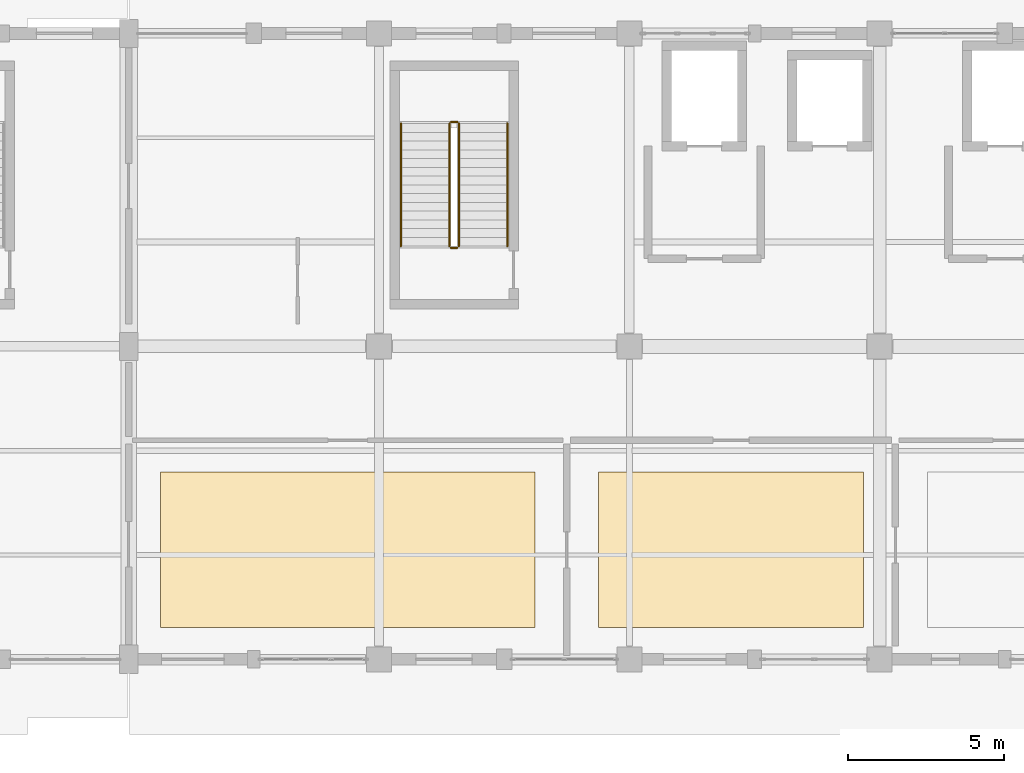
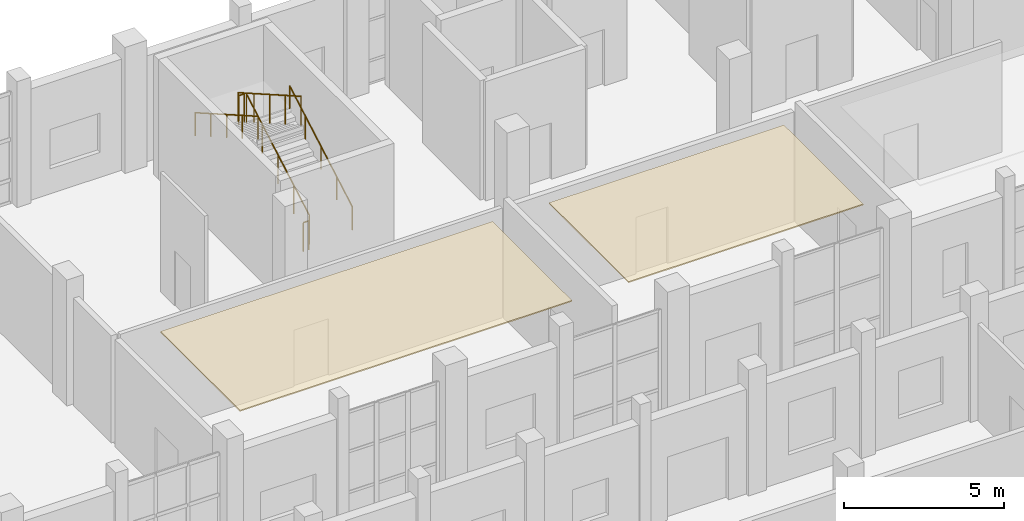
# One storey, part 155 of 156: 6 railings, 2 coverings.
"""IFC4 building model written with IfcOpenShell, lengths in metres."""

from ifc_helpers import new_model, si_unit, direction, frame, origin, origin_2d, place, context, subcontext, project, spatial, polyline, circle, outline, extrude, material, layer, layer_set, type_object, element, save


model = new_model("IFC4")

# Units and contexts
model_context = context("Model", 3, precision=1e-05, world=origin(), true_north=direction((0.0, 1.0)))
body_context = subcontext(model_context, "Body", "Model", "MODEL_VIEW")
ifc_project = project(units=[si_unit("LENGTHUNIT", "METRE"), si_unit("AREAUNIT", "SQUARE_METRE"), si_unit("VOLUMEUNIT", "CUBIC_METRE"), si_unit("PLANEANGLEUNIT", "RADIAN"), si_unit("MASSUNIT", "GRAM", prefix="KILO")], contexts=[model_context])

# Site, building, storey
site_placement = place(None, origin())
site = spatial("IfcSite", under=ifc_project, at=site_placement, CompositionType="ELEMENT")
building_placement = place(site_placement, origin())
building = spatial("IfcBuilding", under=site, at=building_placement, Name="Luwemba Playhouse", CompositionType="ELEMENT")
storey_placement = place(building_placement, origin())
storey = spatial("IfcBuildingStorey", under=building, at=storey_placement, Name="L00", CompositionType="ELEMENT", Elevation=0.0)

# Coverings
ifc_material_1 = material(Name="Perforated acoustic gypsum and timber baffle ceiling", Category="wood")
ifc_layer = layer(ifc_material_1, 0.044921875)
ifc_layer_set = layer_set([ifc_layer], Name="Perforated acoustic gypsum and timber baffle ceiling")
covering_type = type_object("IfcCoveringType", Name="COV-CEIL-AC", PredefinedType="CEILING", material=ifc_layer_set)
covering_1_placement = place(storey_placement, frame((0.0, 0.0, 4.5048828125)))
element("IfcCovering", 1, at=covering_1_placement, inside=storey, type_object=covering_type, Name="L00 Youth Drama Classroom West acoustic ceiling cloud", PredefinedType="CEILING", context=body_context, shape_type="SweptSolid", body=[
    extrude(outline(polyline([(133.02001953125, 96.02001953125), (144.97998046875, 96.02001953125), (144.97998046875, 100.97998046875), (133.02001953125, 100.97998046875), (133.02001953125, 96.02001953125)])), origin(), (0.0, 0.0, 1.0), 0.045166015625),
])
covering_2_placement = place(storey_placement, frame((0.0, 0.0, 4.5048828125)))
element("IfcCovering", 2, at=covering_2_placement, inside=storey, type_object=covering_type, Name="L00 Conservatory Cloister Entrance Lobby acoustic ceiling cloud", PredefinedType="CEILING", context=body_context, shape_type="SweptSolid", body=[
    extrude(outline(polyline([(147.02001953125, 96.02001953125), (155.47998046875, 96.02001953125), (155.47998046875, 100.97998046875), (147.02001953125, 100.97998046875), (147.02001953125, 96.02001953125)])), origin(), (0.0, 0.0, 1.0), 0.045166015625),
])

# Railings
ifc_material_2 = material(Name="Painted wrought-iron gallery balustrade", Category="steel")
railing_type_1 = type_object("IfcRailingType", Name="RLG-BAL-INT", PredefinedType="BALUSTRADE", material=ifc_material_2)
railing_1_placement = place(storey_placement, frame((142.550048828125, 108.199951171875, 0.159912109375)))
element("IfcRailing", 3, at=railing_1_placement, inside=storey, type_object=railing_type_1, Name="L00 ST-09 stair guard 1", PredefinedType="BALUSTRADE", context=body_context, shape_type="SweptSolid", body=[
    extrude(circle(Radius=0.02392578125, at=origin_2d()), frame((0.0, 0.0, 1.09619140625), z_axis=(0.0, 0.86825312469, 0.496121468458), x_axis=(-1.0, 0.0, 0.0)), (0.0, 0.0, 1.0), 4.514892578125),
    extrude(circle(Radius=0.02099609375, at=origin_2d()), origin(), (0.0, 0.0, 1.0), 1.072021484375),
    extrude(circle(Radius=0.02099609375, at=origin_2d()), frame((0.0, 0.97998046875, 0.56005859375)), (0.0, 0.0, 1.0), 1.072021484375),
    extrude(circle(Radius=0.02099609375, at=origin_2d()), frame((0.0, 1.9599609375, 1.1201171875)), (0.0, 0.0, 1.0), 1.072021484375),
    extrude(circle(Radius=0.02099609375, at=origin_2d()), frame((0.0, 2.940185546875, 1.679931640625)), (0.0, 0.0, 1.0), 1.072021484375),
    extrude(circle(Radius=0.02099609375, at=origin_2d()), frame((0.0, 3.920166015625, 2.239990234375)), (0.0, 0.0, 1.0), 1.072021484375),
])
railing_2_placement = place(storey_placement, frame((142.5, 112.169921875, 2.39990234375)))
element("IfcRailing", 4, at=railing_2_placement, inside=storey, type_object=railing_type_1, Name="L00 ST-09 stair guard 2", PredefinedType="BALUSTRADE", context=body_context, shape_type="SweptSolid", body=[
    extrude(circle(Radius=0.02392578125, at=origin_2d()), frame((0.0, 0.0, 1.09619140625), z_axis=(-1.0, 0.0, 0.0), x_axis=(0.0, -1.0, 0.0)), (0.0, 0.0, 1.0), 0.199951171875),
    extrude(circle(Radius=0.02099609375, at=origin_2d()), origin(), (0.0, 0.0, 1.0), 1.072021484375),
    extrude(circle(Radius=0.02099609375, at=origin_2d()), frame((-0.199951171875, 0.0, 0.0)), (0.0, 0.0, 1.0), 1.072021484375),
])
railing_3_placement = place(storey_placement, frame((142.25, 112.1201171875, 2.56005859375)))
element("IfcRailing", 5, at=railing_3_placement, inside=storey, type_object=railing_type_1, Name="L00 ST-09 stair guard 3", PredefinedType="BALUSTRADE", context=body_context, shape_type="SweptSolid", body=[
    extrude(circle(Radius=0.02392578125, at=origin_2d()), frame((0.0, 0.0, 1.09619140625), z_axis=(0.0, -0.86825312469, 0.496121468458), x_axis=(1.0, 0.0, 0.0)), (0.0, 0.0, 1.0), 4.514892578125),
    extrude(circle(Radius=0.02099609375, at=origin_2d()), origin(), (0.0, 0.0, 1.0), 1.072021484375),
    extrude(circle(Radius=0.02099609375, at=origin_2d()), frame((0.0, -0.97998046875, 0.56005859375)), (0.0, 0.0, 1.0), 1.072021484375),
    extrude(circle(Radius=0.02099609375, at=origin_2d()), frame((0.0, -1.9599609375, 1.1201171875)), (0.0, 0.0, 1.0), 1.072021484375),
    extrude(circle(Radius=0.02099609375, at=origin_2d()), frame((0.0, -2.940185546875, 1.679931640625)), (0.0, 0.0, 1.0), 1.072021484375),
    extrude(circle(Radius=0.02099609375, at=origin_2d()), frame((0.0, -3.920166015625, 2.239990234375)), (0.0, 0.0, 1.0), 1.072021484375),
])
railing_4_placement = place(storey_placement, frame((142.5, 108.14990234375, 0.0)))
element("IfcRailing", 6, at=railing_4_placement, inside=storey, type_object=railing_type_1, Name="L00 ST-09 stair guard 4", PredefinedType="BALUSTRADE", context=body_context, shape_type="SweptSolid", body=[
    extrude(circle(Radius=0.02392578125, at=origin_2d()), frame((0.0, 0.0, 1.09619140625), z_axis=(-1.0, 0.0, 0.0), x_axis=(0.0, -1.0, 0.0)), (0.0, 0.0, 1.0), 0.199951171875),
    extrude(circle(Radius=0.02099609375, at=origin_2d()), origin(), (0.0, 0.0, 1.0), 1.072021484375),
    extrude(circle(Radius=0.02099609375, at=origin_2d()), frame((-0.199951171875, 0.0, 0.0)), (0.0, 0.0, 1.0), 1.072021484375),
])
ifc_material_3 = material(Name="Hardwood and bronze handrail", Category="wood")
railing_type_2 = type_object("IfcRailingType", Name="RLG-HR-INT", PredefinedType="HANDRAIL", material=ifc_material_3)
railing_5_placement = place(storey_placement, frame((144.10009765625, 108.199951171875, 0.159912109375)))
element("IfcRailing", 7, at=railing_5_placement, inside=storey, type_object=railing_type_2, Name="L00 ST-09 stair handrail 1", PredefinedType="HANDRAIL", context=body_context, shape_type="SweptSolid", body=[
    extrude(circle(Radius=0.02392578125, at=origin_2d()), frame((0.0, 0.0, 0.8759765625), z_axis=(0.0, 0.86825312469, 0.496121468458), x_axis=(-1.0, 0.0, 0.0)), (0.0, 0.0, 1.0), 4.514892578125),
    extrude(circle(Radius=0.02099609375, at=origin_2d()), origin(), (0.0, 0.0, 1.0), 0.851806640625),
    extrude(circle(Radius=0.02099609375, at=origin_2d()), frame((0.0, 0.97998046875, 0.56005859375)), (0.0, 0.0, 1.0), 0.851806640625),
    extrude(circle(Radius=0.02099609375, at=origin_2d()), frame((0.0, 1.9599609375, 1.1201171875)), (0.0, 0.0, 1.0), 0.851806640625),
    extrude(circle(Radius=0.02099609375, at=origin_2d()), frame((0.0, 2.940185546875, 1.679931640625)), (0.0, 0.0, 1.0), 0.851806640625),
    extrude(circle(Radius=0.02099609375, at=origin_2d()), frame((0.0, 3.920166015625, 2.239990234375)), (0.0, 0.0, 1.0), 0.851806640625),
])
railing_6_placement = place(storey_placement, frame((140.699951171875, 112.1201171875, 2.56005859375)))
element("IfcRailing", 8, at=railing_6_placement, inside=storey, type_object=railing_type_2, Name="L00 ST-09 stair handrail 2", PredefinedType="HANDRAIL", context=body_context, shape_type="SweptSolid", body=[
    extrude(circle(Radius=0.02392578125, at=origin_2d()), frame((0.0, 0.0, 0.8759765625), z_axis=(0.0, -0.86825312469, 0.496121468458), x_axis=(1.0, 0.0, 0.0)), (0.0, 0.0, 1.0), 4.514892578125),
    extrude(circle(Radius=0.02099609375, at=origin_2d()), origin(), (0.0, 0.0, 1.0), 0.851806640625),
    extrude(circle(Radius=0.02099609375, at=origin_2d()), frame((0.0, -0.97998046875, 0.56005859375)), (0.0, 0.0, 1.0), 0.851806640625),
    extrude(circle(Radius=0.02099609375, at=origin_2d()), frame((0.0, -1.9599609375, 1.1201171875)), (0.0, 0.0, 1.0), 0.851806640625),
    extrude(circle(Radius=0.02099609375, at=origin_2d()), frame((0.0, -2.940185546875, 1.679931640625)), (0.0, 0.0, 1.0), 0.851806640625),
    extrude(circle(Radius=0.02099609375, at=origin_2d()), frame((0.0, -3.920166015625, 2.239990234375)), (0.0, 0.0, 1.0), 0.851806640625),
])

save(model, "model.ifc")
